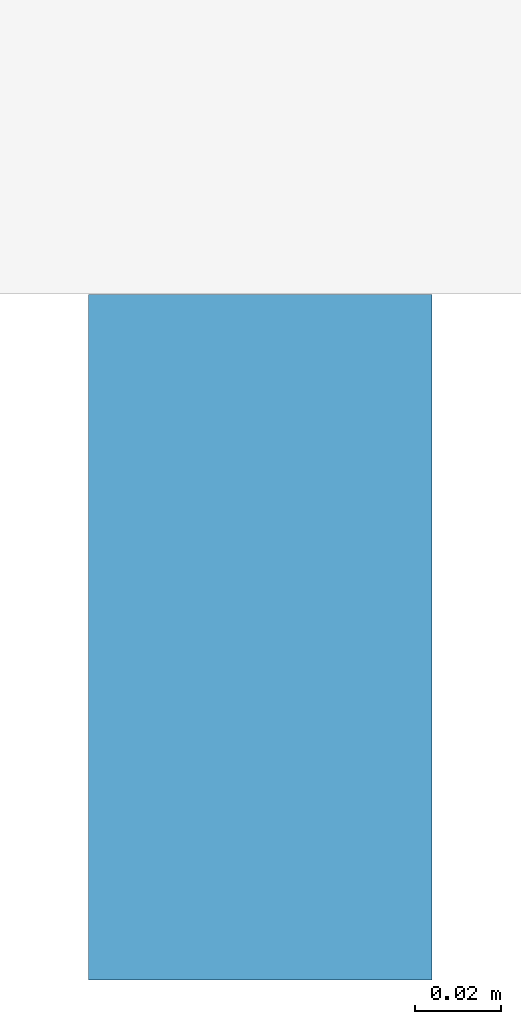
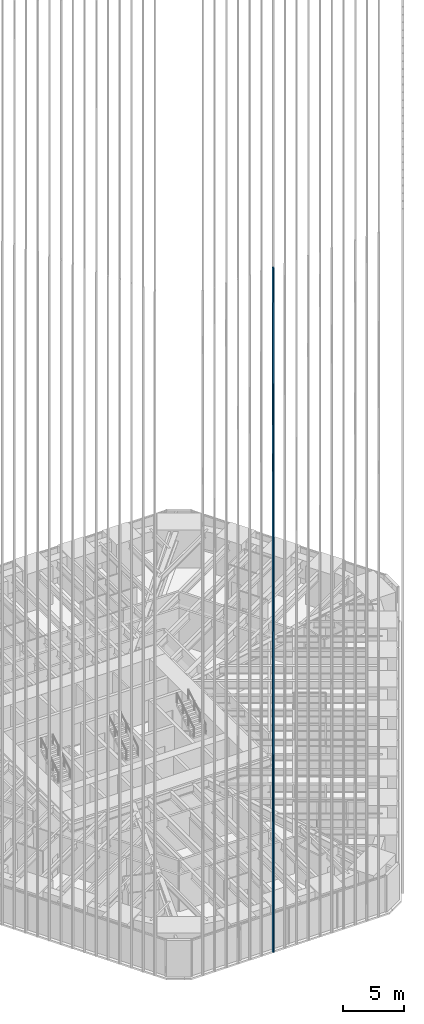
# One storey, part 35 of 256: 1 member, 1 element without a shape of its own.
"""IFC4 building model written with IfcOpenShell, lengths in metres."""

import ifcopenshell
import ifcopenshell.guid

model = None  # the IFC model being written
_history = None  # IfcOwnerHistory: only IFC2X3 demands one
_inside = {}  # id of a spatial element -> (the spatial element, [elements in it])
_under = {}  # id of a project, library or spatial element -> (it, [spatial elements below it])
_declared = {}  # id of a project -> (the project, [libraries it declares])
_typed = {}  # id of a type object -> (the type object, [elements of that type])
_made_of = {}  # id of a material, layer set ... -> (it, [elements and type objects made of it])


def new_model(schema):
    """Start an empty IFC model of exactly this schema.

    Asked for "IFC4X3", IfcOpenShell would pick the latest addendum, in which some entities
    have other attributes; the version numbers below select the first issue.
    IFC2X3 requires an IfcOwnerHistory on every rooted entity: one is made here for all.
    """
    global model, _history
    if schema == "IFC4X3":
        model = ifcopenshell.file(schema_version=(4, 3, 0, 0))
    else:
        model = ifcopenshell.file(schema=schema)
    _inside.clear()
    _under.clear()
    _declared.clear()
    _typed.clear()
    _made_of.clear()
    _history = None
    if model.schema == "IFC2X3":
        org = make("IfcOrganization", Name="unknown")
        user = make(
            "IfcPersonAndOrganization",
            ThePerson=make("IfcPerson", FamilyName="unknown"),
            TheOrganization=org,
        )
        app = make(
            "IfcApplication",
            ApplicationDeveloper=org,
            Version="unknown",
            ApplicationFullName="unknown",
            ApplicationIdentifier="unknown",
        )
        _history = make(
            "IfcOwnerHistory",
            OwningUser=user,
            OwningApplication=app,
            ChangeAction="ADDED",
            CreationDate=0,
        )
    return model


def make(cls, **values):
    """One entity of the class cls with the attributes given. An attribute that is None is left unset."""
    return model.create_entity(
        cls, **{name: value for name, value in values.items() if value is not None}
    )


def rooted(cls, **values):
    """An entity with a GlobalId (a new one), such as an element, a storey or a relation."""
    return make(cls, GlobalId=ifcopenshell.guid.new(), OwnerHistory=_history, **values)


def si_unit(unit_type, name, prefix=None):
    """IfcSIUnit, for example si_unit("LENGTHUNIT", "METRE", prefix="MILLI")."""
    return make("IfcSIUnit", UnitType=unit_type, Prefix=prefix, Name=name)


def assignment(units):
    """IfcUnitAssignment: the units of a project."""
    return None if units is None else make("IfcUnitAssignment", Units=units)


def point(xyz):
    """IfcCartesianPoint."""
    return None if xyz is None else make("IfcCartesianPoint", Coordinates=xyz)


def direction(xyz):
    """IfcDirection."""
    return None if xyz is None else make("IfcDirection", DirectionRatios=xyz)


def frame(location, z_axis=None, x_axis=None):
    """IfcAxis2Placement3D, a coordinate frame: its origin and axes. An axis left out is left unset."""
    return make(
        "IfcAxis2Placement3D",
        Location=point(location),
        Axis=direction(z_axis),
        RefDirection=direction(x_axis),
    )


def frame_2d(location, x_axis=None):
    """IfcAxis2Placement2D, a coordinate frame in the plane: its origin and x axis."""
    return make(
        "IfcAxis2Placement2D", Location=point(location), RefDirection=direction(x_axis)
    )


def origin():
    """The frame at (0, 0, 0) with its axes left unset."""
    return frame((0.0, 0.0, 0.0))


def origin_2d():
    """The frame at (0, 0) in the plane with its x axis left unset."""
    return frame_2d((0.0, 0.0))


def place(relative_to, where):
    """IfcLocalPlacement: puts the frame where relative to a parent placement (None: the world)."""
    return make(
        "IfcLocalPlacement", PlacementRelTo=relative_to, RelativePlacement=where
    )


def context(
    kind, dimensions, precision=None, world=None, true_north=None, identifier=None
):
    """IfcGeometricRepresentationContext, for example the 3D "Model" context."""
    return make(
        "IfcGeometricRepresentationContext",
        ContextIdentifier=identifier,
        ContextType=kind,
        CoordinateSpaceDimension=dimensions,
        Precision=precision,
        WorldCoordinateSystem=world,
        TrueNorth=true_north,
    )


def subcontext(parent, identifier, kind, view, scale=None):
    """IfcGeometricRepresentationSubContext, for example "Body" below "Model"."""
    return make(
        "IfcGeometricRepresentationSubContext",
        ContextIdentifier=identifier,
        ContextType=kind,
        ParentContext=parent,
        TargetScale=scale,
        TargetView=view,
    )


def project(units=None, contexts=None):
    """IfcProject with its units and contexts."""
    return rooted(
        "IfcProject",
        Name="project",
        RepresentationContexts=contexts,
        UnitsInContext=assignment(units),
    )


def spatial(cls, under=None, at=None, **own):
    """A site, building, storey or space (cls), placed at a placement, below another one or the project."""
    s = rooted(cls, ObjectPlacement=at, **own)
    if under is not None:
        _under.setdefault(under.id(), (under, []))[1].append(s)
    return s


def profile(cls, at=None, kind="AREA", **sizes):
    """A parametric profile (cls). Its sizes go by their IFC names, for example OverallWidth=200.0."""
    return make(cls, ProfileType=kind, Position=at, **sizes)


def rectangle(**sizes):
    """IfcRectangleProfileDef."""
    return profile("IfcRectangleProfileDef", **sizes)


def extrude(swept, where, along, depth):
    """IfcExtrudedAreaSolid: the profile swept, set in the frame where, extruded along a direction by depth."""
    return make(
        "IfcExtrudedAreaSolid",
        SweptArea=swept,
        Position=where,
        ExtrudedDirection=direction(along),
        Depth=depth,
    )


def shape(context_of_items, identifier, shape_type, items):
    """IfcShapeRepresentation: the items that make up one representation, for example the "Body"."""
    return make(
        "IfcShapeRepresentation",
        ContextOfItems=context_of_items,
        RepresentationIdentifier=identifier,
        RepresentationType=shape_type,
        Items=items,
    )


def material(Name=None, Category=None):
    """IfcMaterial."""
    return make("IfcMaterial", Name=Name, Category=Category)


def material_profile(
    of_material, cross_section, Name=None, Category=None, Priority=None
):
    """IfcMaterialProfile: a cross section and its material."""
    return make(
        "IfcMaterialProfile",
        Name=Name,
        Material=of_material,
        Profile=cross_section,
        Priority=Priority,
        Category=Category,
    )


def profile_set(profiles, Name=None, composite=None):
    """IfcMaterialProfileSet."""
    return make(
        "IfcMaterialProfileSet",
        Name=Name,
        MaterialProfiles=profiles,
        CompositeProfile=composite,
    )


def made_of(thing, what):
    """Note that an element or type object is made of a material, layer set ...; save() writes the relation."""
    if what is not None:
        _made_of.setdefault(what.id(), (what, []))[1].append(thing)
    return thing


def type_object(cls, material=None, **own):
    """A type object (cls), such as IfcWallType, which elements share."""
    return made_of(rooted(cls, **own), material)


def element(
    cls,
    number,
    at=None,
    inside=None,
    cuts=None,
    type_object=None,
    material=None,
    context=None,
    identifier="Body",
    shape_type=None,
    held_by="IfcProductDefinitionShape",
    body=None,
    shapes=None,
    **own,
):
    """One element of the class cls, such as IfcWall. Its Tag is "e" and its number.

    at: its placement. inside: the storey or other place that contains it. cuts: it is an
    opening in that element (IfcRelVoidsElement). A single representation is given by context,
    identifier, shape_type and body (its items); several are given by shapes. held_by: the class
    of the entity that holds the representations. save() writes the other relations.
    """
    e = rooted(cls, Tag="e%d" % number, ObjectPlacement=at, **own)
    if body is not None:
        shapes = [shape(context, identifier, shape_type, body)]
    if shapes is not None:
        e.Representation = make(held_by, Representations=shapes)
    if inside is not None:
        _inside.setdefault(inside.id(), (inside, []))[1].append(e)
    if cuts is not None:
        rooted(
            "IfcRelVoidsElement", RelatingBuildingElement=cuts, RelatedOpeningElement=e
        )
    if type_object is not None:
        _typed.setdefault(type_object.id(), (type_object, []))[1].append(e)
    return made_of(e, material)


def aggregate(whole, parts):
    """IfcRelAggregates: a whole, such as a stair, and the parts it consists of."""
    return rooted("IfcRelAggregates", RelatingObject=whole, RelatedObjects=parts)


def save(model, path):
    """Write the relations noted so far, then the file.

    IfcRelAggregates (storeys below a building ...), IfcRelContainedInSpatialStructure (elements
    in a storey), IfcRelDefinesByType, IfcRelAssociatesMaterial and IfcRelDeclares: one each for
    every whole, place, type object, material and project.
    """
    for whole, parts in _under.values():
        aggregate(whole, parts)
    for where, things in _inside.values():
        rooted(
            "IfcRelContainedInSpatialStructure",
            RelatedElements=things,
            RelatingStructure=where,
        )
    for kind, things in _typed.values():
        rooted("IfcRelDefinesByType", RelatedObjects=things, RelatingType=kind)
    for what, things in _made_of.values():
        rooted("IfcRelAssociatesMaterial", RelatedObjects=things, RelatingMaterial=what)
    for by, libraries in _declared.values():
        rooted("IfcRelDeclares", RelatingContext=by, RelatedDefinitions=libraries)
    model.write(path)


model = new_model("IFC4")

# Units and contexts
model_context = context("Model", 3, precision=1e-05, world=origin(), true_north=direction((0.0, 1.0)))
body_context = subcontext(model_context, "Body", "Model", "MODEL_VIEW")
ifc_project = project(units=[si_unit("LENGTHUNIT", "METRE"), si_unit("AREAUNIT", "SQUARE_METRE"), si_unit("VOLUMEUNIT", "CUBIC_METRE"), si_unit("PLANEANGLEUNIT", "RADIAN"), si_unit("MASSUNIT", "GRAM", prefix="KILO")], contexts=[model_context])

# Site, building, storey
site_placement = place(None, origin())
site = spatial("IfcSite", under=ifc_project, at=site_placement, CompositionType="ELEMENT")
building_placement = place(site_placement, origin())
building = spatial("IfcBuilding", under=site, at=building_placement, Name="Sandreach Pilgrim Tower", CompositionType="ELEMENT")
storey_placement = place(building_placement, frame((0.0, 0.0, 23.0)))
storey = spatial("IfcBuildingStorey", under=building, at=storey_placement, Name="L04", CompositionType="ELEMENT", Elevation=23.0)

# Curtain wall, member
ifc_material_1 = material(Name="Aluminium framed curtain wall", Category="aluminium")
curtain_wall_type = type_object("IfcCurtainWallType", Name="Hostel tower curtain wall", PredefinedType="NOTDEFINED", material=ifc_material_1)
curtain_wall_placement = place(storey_placement, origin())
curtain_wall = element("IfcCurtainWall", 1, at=curtain_wall_placement, inside=storey, type_object=curtain_wall_type, Name="CW-1 L04 S", PredefinedType="NOTDEFINED")
ifc_material_2 = material(Name="Extruded terracotta on aluminium core", Category="masonry")
ifc_material_profile = material_profile(ifc_material_2, rectangle(XDim=0.080078125, YDim=0.159912109375, at=origin_2d()), Name="TBS 80X160")
ifc_profile_set = profile_set([ifc_material_profile], Name="Extruded terracotta on aluminium core")
member_type = type_object("IfcMemberType", Name="Terracotta baguette south", PredefinedType="USERDEFINED", material=ifc_profile_set)
member_placement = place(storey_placement, frame((-1.6572265625, -30.390869140625, 0.0), z_axis=(0.0, 0.0, 1.0), x_axis=(-1.0, 0.0, 0.0)))
member = element("IfcMember", 2, at=member_placement, type_object=member_type, Name="Baguette Z1 S10", ObjectType="BAGUETTE", PredefinedType="USERDEFINED", context=body_context, shape_type="SweptSolid", body=[
    extrude(rectangle(XDim=0.080078125, YDim=0.159912109375, at=origin_2d()), origin(), (0.0, 0.0, 1.0), 68.239990234375),
])
aggregate(curtain_wall, [member])

save(model, "model.ifc")
